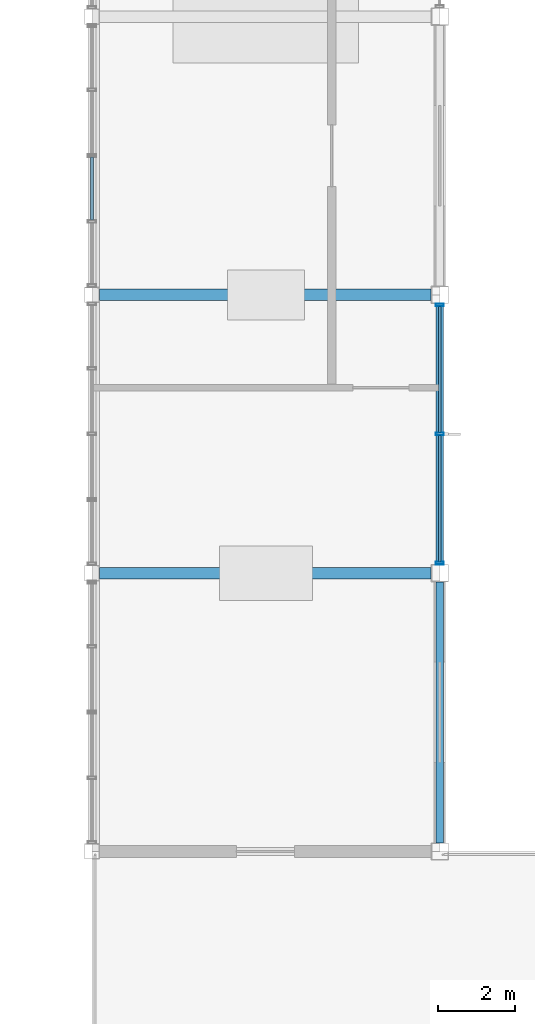
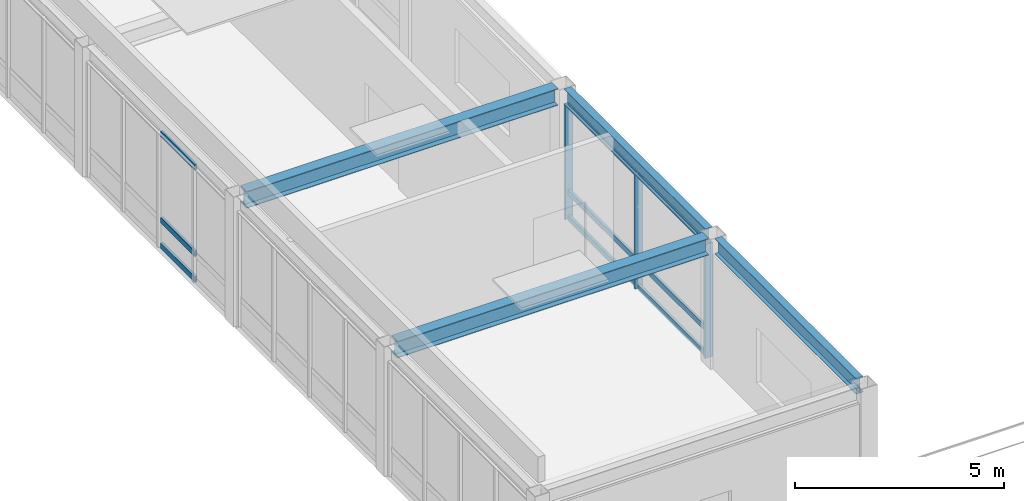
# One storey, part 9 of 106: 12 members, 4 beams, 2 elements without a shape of their own.
"""IFC4 building model written with IfcOpenShell, lengths in metres."""

from ifc_helpers import new_model, si_unit, direction, frame, origin, origin_2d, place, context, subcontext, project, spatial, hollow_rectangle, i_section, extrude, material, material_profile, profile_set, type_object, element, aggregate, save


model = new_model("IFC4")

# Units and contexts
model_context = context("Model", 3, precision=1e-05, world=origin(), true_north=direction((0.0, 1.0)))
body_context = subcontext(model_context, "Body", "Model", "MODEL_VIEW")
ifc_project = project(units=[si_unit("LENGTHUNIT", "METRE"), si_unit("AREAUNIT", "SQUARE_METRE"), si_unit("VOLUMEUNIT", "CUBIC_METRE"), si_unit("PLANEANGLEUNIT", "RADIAN"), si_unit("MASSUNIT", "GRAM", prefix="KILO")], contexts=[model_context])

# Site, building, storey
site_placement = place(None, origin())
site = spatial("IfcSite", under=ifc_project, at=site_placement, CompositionType="ELEMENT")
building_placement = place(site_placement, origin())
building = spatial("IfcBuilding", under=site, at=building_placement, Name="Kazanami Central Library", CompositionType="ELEMENT")
storey_placement = place(building_placement, frame((0.0, 0.0, 12.800048828125)))
storey = spatial("IfcBuildingStorey", under=building, at=storey_placement, Name="L04", CompositionType="ELEMENT", Elevation=12.800048828125)

# Beams
ifc_material_1 = material(Name="Steel SN490B (325 MPa)", Category="steel")
ifc_material_profile_1 = material_profile(ifc_material_1, i_section(OverallWidth=0.300048828125, OverallDepth=0.488037109375, WebThickness=0.010986328125, FlangeThickness=0.01806640625, at=origin_2d()), Name="H-488x300x11x18")
ifc_profile_set_1 = profile_set([ifc_material_profile_1], Name="Steel SN490B (325 MPa)")
beam_type_1 = type_object("IfcBeamType", Name="BM-G-X5", PredefinedType="BEAM", material=ifc_profile_set_1)
for number, where, z_axis, x_axis, name in (
    (1, (45.197998046875, 43.199951171875, 3.535888671875), (1.0, 0.0, 0.0), (0.0, 1.0, 0.0), "Girder G-X5 L04 G/6-7"),
    (2, (45.197998046875, 50.39990234375, 3.535888671875), (1.0, 0.0, 0.0), (0.0, 1.0, 0.0), "Girder G-X5 L04 H/6-7"),
):
    element("IfcBeam", number, at=place(storey_placement, frame(where, z_axis=z_axis, x_axis=x_axis)), inside=storey, type_object=beam_type_1, Name=name, PredefinedType="BEAM", context=body_context, shape_type="SweptSolid", body=[
        extrude(i_section(OverallWidth=0.300048828125, OverallDepth=0.488037109375, WebThickness=0.010986328125, FlangeThickness=0.01806640625, at=origin_2d()), origin(), (0.0, 0.0, 1.0), 8.5791015625),
    ])
ifc_material_profile_2 = material_profile(ifc_material_1, i_section(OverallWidth=0.199951171875, OverallDepth=0.449951171875, WebThickness=0.009033203125, FlangeThickness=0.013916015625, at=origin_2d()), Name="H-450x200x9x14")
ifc_profile_set_2 = profile_set([ifc_material_profile_2], Name="Steel SN490B (325 MPa)")
beam_type_2 = type_object("IfcBeamType", Name="BM-SP-2", PredefinedType="SPANDREL", material=ifc_profile_set_2)
beam_1_placement = place(storey_placement, frame((54.0, 36.222900390625, 3.554931640625), z_axis=(0.0, 1.0, 0.0), x_axis=(-1.0, 0.0, 0.0)))
element("IfcBeam", 3, at=beam_1_placement, inside=storey, type_object=beam_type_2, Name="Girder SP-2 L04 7/F-G", PredefinedType="SPANDREL", context=body_context, shape_type="SweptSolid", body=[
    extrude(i_section(OverallWidth=0.199951171875, OverallDepth=0.449951171875, WebThickness=0.009033203125, FlangeThickness=0.013916015625, at=origin_2d()), origin(), (0.0, 0.0, 1.0), 6.754150390625),
])
beam_2_placement = place(storey_placement, frame((54.0, 43.423095703125, 3.554931640625), z_axis=(0.0, 1.0, 0.0), x_axis=(-1.0, 0.0, 0.0)))
element("IfcBeam", 4, at=beam_2_placement, inside=storey, type_object=beam_type_2, Name="Girder SP-2 L04 7/G-H", PredefinedType="SPANDREL", context=body_context, shape_type="SweptSolid", body=[
    extrude(i_section(OverallWidth=0.199951171875, OverallDepth=0.449951171875, WebThickness=0.009033203125, FlangeThickness=0.013916015625, at=origin_2d()), origin(), (0.0, 0.0, 1.0), 6.75390625),
])

# Curtain wall, members
ifc_material_2 = material(Name="Acid-Etched Low-E Laminated Glass", Category="glass")
curtain_wall_type_1 = type_object("IfcCurtainWallType", Name="CW-6750x3330-M275", PredefinedType="USERDEFINED", material=ifc_material_2)
curtain_wall_1_placement = place(storey_placement, origin())
curtain_wall_1 = element("IfcCurtainWall", 5, at=curtain_wall_1_placement, inside=storey, type_object=curtain_wall_type_1, Name="Unitised Curtain Wall CW-45 L04 E-7-06", ObjectType="UNITISED CURTAIN WALL", PredefinedType="USERDEFINED")
ifc_material_3 = material(Name="Anodised Aluminium A6063-T5", Category="aluminium")
ifc_material_profile_3 = material_profile(ifc_material_3, hollow_rectangle(XDim=0.070068359375, YDim=0.2099609375, WallThickness=0.0048828125, at=origin_2d()), Name="ALU-MULL-70x210x5")
ifc_profile_set_3 = profile_set([ifc_material_profile_3], Name="Anodised Aluminium A6063-T5")
member_type_1 = type_object("IfcMemberType", Name="MEM-CW-M1", PredefinedType="MULLION", material=ifc_profile_set_3)
member_1_placement = place(storey_placement, frame((54.0, 50.139892578125, 0.0), z_axis=(0.0, 0.0, 1.0), x_axis=(0.0, -1.0, 0.0)))
member_1 = element("IfcMember", 6, at=member_1_placement, type_object=member_type_1, Name="CW-45 mullion 1", PredefinedType="MULLION", context=body_context, shape_type="SweptSolid", body=[
    extrude(hollow_rectangle(XDim=0.070068359375, YDim=0.2099609375, WallThickness=0.0048828125, at=origin_2d()), origin(), (0.0, 0.0, 1.0), 3.329833984375),
])
member_2_placement = place(storey_placement, frame((54.0, 46.800048828125, 0.0), z_axis=(0.0, 0.0, 1.0), x_axis=(0.0, -1.0, 0.0)))
member_2 = element("IfcMember", 7, at=member_2_placement, type_object=member_type_1, Name="CW-45 mullion 2", PredefinedType="MULLION", context=body_context, shape_type="SweptSolid", body=[
    extrude(hollow_rectangle(XDim=0.070068359375, YDim=0.2099609375, WallThickness=0.0048828125, at=origin_2d()), origin(), (0.0, 0.0, 1.0), 3.329833984375),
])
member_3_placement = place(storey_placement, frame((54.0, 43.4599609375, 0.0), z_axis=(0.0, 0.0, 1.0), x_axis=(0.0, -1.0, 0.0)))
member_3 = element("IfcMember", 8, at=member_3_placement, type_object=member_type_1, Name="CW-45 mullion 3", PredefinedType="MULLION", context=body_context, shape_type="SweptSolid", body=[
    extrude(hollow_rectangle(XDim=0.070068359375, YDim=0.2099609375, WallThickness=0.0048828125, at=origin_2d()), origin(), (0.0, 0.0, 1.0), 3.329833984375),
])

curtain_wall_type_2 = type_object("IfcCurtainWallType", Name="CW-6800x3330-M180", PredefinedType="USERDEFINED", material=ifc_material_2)
curtain_wall_2_placement = place(storey_placement, origin())
curtain_wall_2 = element("IfcCurtainWall", 9, at=curtain_wall_2_placement, inside=storey, type_object=curtain_wall_type_2, Name="Covered Link Bridge Curtain Wall CW-44 L04 W-6-07", ObjectType="UNITISED CURTAIN WALL", PredefinedType="USERDEFINED")
ifc_material_profile_4 = material_profile(ifc_material_3, hollow_rectangle(XDim=0.070068359375, YDim=0.159912109375, WallThickness=0.00390625, at=origin_2d()), Name="ALU-TRAN-70x160x4")
ifc_profile_set_4 = profile_set([ifc_material_profile_4], Name="Anodised Aluminium A6063-T5")
member_type_2 = type_object("IfcMemberType", Name="MEM-CW-T1", PredefinedType="USERDEFINED", material=ifc_profile_set_4)
member_4_placement = place(storey_placement, frame((45.0, 52.3349609375, 0.034912109375), z_axis=(0.0, 1.0, 0.0), x_axis=(-1.0, 0.0, 0.0)))
member_4 = element("IfcMember", 10, at=member_4_placement, type_object=member_type_2, Name="CW-44 transom 2.1", ObjectType="TRANSOM", PredefinedType="USERDEFINED", context=body_context, shape_type="SweptSolid", body=[
    extrude(hollow_rectangle(XDim=0.070068359375, YDim=0.159912109375, WallThickness=0.00390625, at=origin_2d()), origin(), (0.0, 0.0, 1.0), 1.630126953125),
])
member_5_placement = place(storey_placement, frame((45.0, 52.3349609375, 0.780029296875), z_axis=(0.0, 1.0, 0.0), x_axis=(-1.0, 0.0, 0.0)))
member_5 = element("IfcMember", 11, at=member_5_placement, type_object=member_type_2, Name="CW-44 transom 2.2", ObjectType="TRANSOM", PredefinedType="USERDEFINED", context=body_context, shape_type="SweptSolid", body=[
    extrude(hollow_rectangle(XDim=0.070068359375, YDim=0.159912109375, WallThickness=0.00390625, at=origin_2d()), origin(), (0.0, 0.0, 1.0), 1.630126953125),
])
member_6_placement = place(storey_placement, frame((45.0, 52.3349609375, 3.294921875), z_axis=(0.0, 1.0, 0.0), x_axis=(-1.0, 0.0, 0.0)))
member_6 = element("IfcMember", 12, at=member_6_placement, type_object=member_type_2, Name="CW-44 transom 2.3", ObjectType="TRANSOM", PredefinedType="USERDEFINED", context=body_context, shape_type="SweptSolid", body=[
    extrude(hollow_rectangle(XDim=0.070068359375, YDim=0.159912109375, WallThickness=0.00390625, at=origin_2d()), origin(), (0.0, 0.0, 1.0), 1.630126953125),
])
aggregate(curtain_wall_2, [member_4, member_5, member_6])

# Member
member_7_placement = place(storey_placement, frame((54.0, 50.10498046875, 0.034912109375), z_axis=(0.0, -1.0, 0.0), x_axis=(1.0, 0.0, 0.0)))
member_7 = element("IfcMember", 13, at=member_7_placement, type_object=member_type_2, Name="CW-45 transom 1.1", ObjectType="TRANSOM", PredefinedType="USERDEFINED", context=body_context, shape_type="SweptSolid", body=[
    extrude(hollow_rectangle(XDim=0.070068359375, YDim=0.159912109375, WallThickness=0.00390625, at=origin_2d()), origin(), (0.0, 0.0, 1.0), 3.27001953125),
])

member_8_placement = place(storey_placement, frame((54.0, 50.10498046875, 0.780029296875), z_axis=(0.0, -1.0, 0.0), x_axis=(1.0, 0.0, 0.0)))
member_8 = element("IfcMember", 14, at=member_8_placement, type_object=member_type_2, Name="CW-45 transom 1.2", ObjectType="TRANSOM", PredefinedType="USERDEFINED", context=body_context, shape_type="SweptSolid", body=[
    extrude(hollow_rectangle(XDim=0.070068359375, YDim=0.159912109375, WallThickness=0.00390625, at=origin_2d()), origin(), (0.0, 0.0, 1.0), 3.27001953125),
])

member_9_placement = place(storey_placement, frame((54.0, 50.10498046875, 3.294921875), z_axis=(0.0, -1.0, 0.0), x_axis=(1.0, 0.0, 0.0)))
member_9 = element("IfcMember", 15, at=member_9_placement, type_object=member_type_2, Name="CW-45 transom 1.3", ObjectType="TRANSOM", PredefinedType="USERDEFINED", context=body_context, shape_type="SweptSolid", body=[
    extrude(hollow_rectangle(XDim=0.070068359375, YDim=0.159912109375, WallThickness=0.00390625, at=origin_2d()), origin(), (0.0, 0.0, 1.0), 3.27001953125),
])

member_10_placement = place(storey_placement, frame((54.0, 46.764892578125, 0.034912109375), z_axis=(0.0, -1.0, 0.0), x_axis=(1.0, 0.0, 0.0)))
member_10 = element("IfcMember", 16, at=member_10_placement, type_object=member_type_2, Name="CW-45 transom 2.1", ObjectType="TRANSOM", PredefinedType="USERDEFINED", context=body_context, shape_type="SweptSolid", body=[
    extrude(hollow_rectangle(XDim=0.070068359375, YDim=0.159912109375, WallThickness=0.00390625, at=origin_2d()), origin(), (0.0, 0.0, 1.0), 3.269775390625),
])

member_11_placement = place(storey_placement, frame((54.0, 46.764892578125, 0.780029296875), z_axis=(0.0, -1.0, 0.0), x_axis=(1.0, 0.0, 0.0)))
member_11 = element("IfcMember", 17, at=member_11_placement, type_object=member_type_2, Name="CW-45 transom 2.2", ObjectType="TRANSOM", PredefinedType="USERDEFINED", context=body_context, shape_type="SweptSolid", body=[
    extrude(hollow_rectangle(XDim=0.070068359375, YDim=0.159912109375, WallThickness=0.00390625, at=origin_2d()), origin(), (0.0, 0.0, 1.0), 3.269775390625),
])

member_12_placement = place(storey_placement, frame((54.0, 46.764892578125, 3.294921875), z_axis=(0.0, -1.0, 0.0), x_axis=(1.0, 0.0, 0.0)))
member_12 = element("IfcMember", 18, at=member_12_placement, type_object=member_type_2, Name="CW-45 transom 2.3", ObjectType="TRANSOM", PredefinedType="USERDEFINED", context=body_context, shape_type="SweptSolid", body=[
    extrude(hollow_rectangle(XDim=0.070068359375, YDim=0.159912109375, WallThickness=0.00390625, at=origin_2d()), origin(), (0.0, 0.0, 1.0), 3.269775390625),
])

aggregate(curtain_wall_1, [member_1, member_2, member_3, member_7, member_8, member_9, member_10, member_11, member_12])

save(model, "model.ifc")
